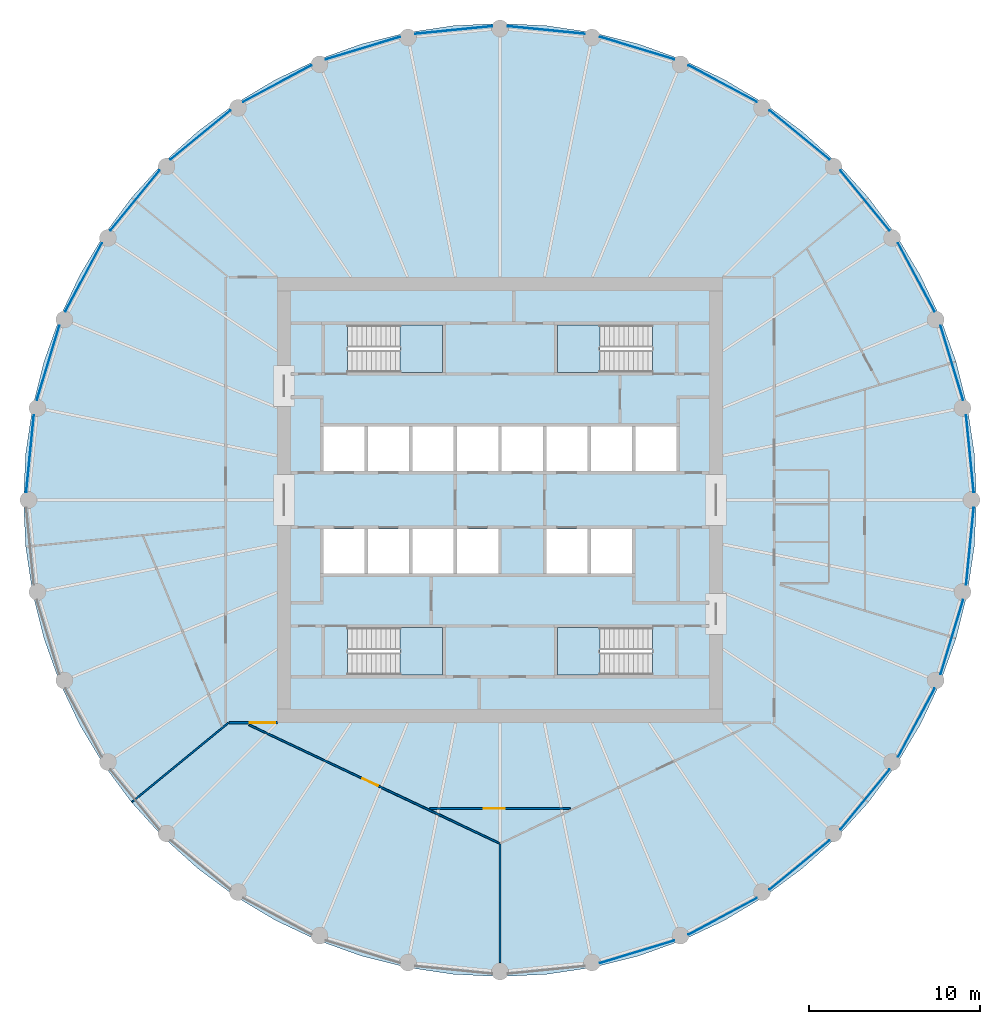
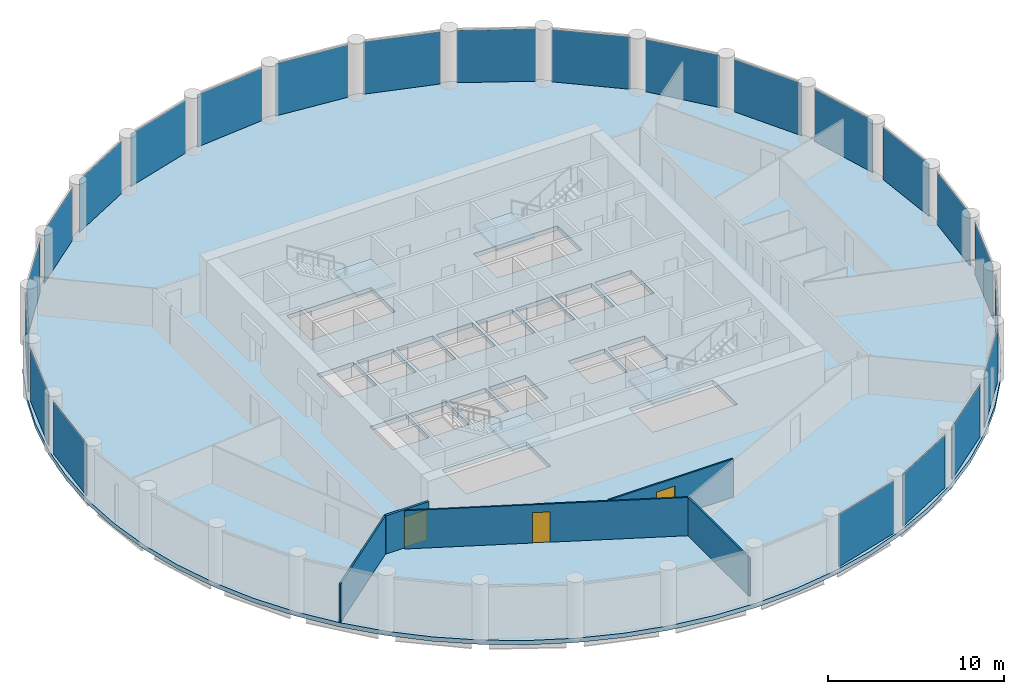
# One storey, part 3 of 8: 23 plates, 5 slabs, 5 walls, 3 doors, 3 openings, 27 elements without a shape of their own.
"""IFC4 building model written with IfcOpenShell, lengths in metres."""

from ifc_helpers import new_model, si_unit, direction, frame, frame_2d, origin, origin_2d, place, context, subcontext, project, spatial, polyline, rectangle, outline, extrude, material, layer, layer_set, type_object, element, fill, aggregate, save


model = new_model("IFC4")

# Units and contexts
model_context = context("Model", 3, precision=1e-05, world=origin(), true_north=direction((0.0, 1.0)))
body_context = subcontext(model_context, "Body", "Model", "MODEL_VIEW")
ifc_project = project(units=[si_unit("LENGTHUNIT", "METRE"), si_unit("AREAUNIT", "SQUARE_METRE"), si_unit("VOLUMEUNIT", "CUBIC_METRE"), si_unit("PLANEANGLEUNIT", "RADIAN"), si_unit("MASSUNIT", "GRAM", prefix="KILO")], contexts=[model_context])

# Site, building, storey
site_placement = place(None, origin())
site = spatial("IfcSite", under=ifc_project, at=site_placement, CompositionType="ELEMENT")
building_placement = place(site_placement, origin())
building = spatial("IfcBuilding", under=site, at=building_placement, Name="Corvane Civic Tower", CompositionType="ELEMENT")
storey_placement = place(building_placement, frame((0.0, 0.0, 253.5)))
storey = spatial("IfcBuildingStorey", under=building, at=storey_placement, Name="L60", CompositionType="ELEMENT", Elevation=253.5)

# Slab
ifc_material_1 = material(Name="Concrete C40/50", Category="concrete")
ifc_layer_1 = layer(ifc_material_1, 0.300048828125)
ifc_layer_set_1 = layer_set([ifc_layer_1], Name="Concrete C40/50")
slab_type_1 = type_object("IfcSlabType", Name="FLOOR SLAB 300", PredefinedType="FLOOR", material=ifc_layer_set_1)
slab_1_placement = place(storey_placement, frame((0.0, 0.0, -0.300048828125)))
element("IfcSlab", 1, at=slab_1_placement, inside=storey, type_object=slab_type_1, Name="SLB-L60", PredefinedType="FLOOR", context=body_context, shape_type="SweptSolid", body=[
    extrude(outline(polyline([(0.0, 27.800048828125), (-2.724853515625, 27.666015625), (-5.423583984375, 27.265869140625), (-8.06982421875, 26.60302734375), (-10.638671875, 25.683837890625), (-13.104736328125, 24.517333984375), (-15.44482421875, 23.11474609375), (-17.63623046875, 21.48974609375), (-19.657470703125, 19.657470703125), (-21.48974609375, 17.63623046875), (-23.11474609375, 15.44482421875), (-24.517333984375, 13.104736328125), (-25.683837890625, 10.638671875), (-26.60302734375, 8.06982421875), (-27.265869140625, 5.423583984375), (-27.666015625, 2.724853515625), (-27.800048828125, 0.0), (-27.666015625, -2.724853515625), (-27.265869140625, -5.423583984375), (-26.60302734375, -8.06982421875), (-25.683837890625, -10.638671875), (-24.517333984375, -13.104736328125), (-23.11474609375, -15.44482421875), (-21.48974609375, -17.63623046875), (-19.657470703125, -19.657470703125), (-17.63623046875, -21.48974609375), (-15.44482421875, -23.11474609375), (-13.104736328125, -24.517333984375), (-10.638671875, -25.683837890625), (-8.06982421875, -26.60302734375), (-5.423583984375, -27.265869140625), (-2.724853515625, -27.666015625), (0.0, -27.800048828125), (2.724853515625, -27.666015625), (5.423583984375, -27.265869140625), (8.06982421875, -26.60302734375), (10.638671875, -25.683837890625), (13.104736328125, -24.517333984375), (15.44482421875, -23.11474609375), (17.63623046875, -21.48974609375), (19.657470703125, -19.657470703125), (21.48974609375, -17.63623046875), (23.11474609375, -15.44482421875), (24.517333984375, -13.104736328125), (25.683837890625, -10.638671875), (26.60302734375, -8.06982421875), (27.265869140625, -5.423583984375), (27.666015625, -2.724853515625), (27.800048828125, 0.0), (27.666015625, 2.724853515625), (27.265869140625, 5.423583984375), (26.60302734375, 8.06982421875), (25.683837890625, 10.638671875), (24.517333984375, 13.104736328125), (23.11474609375, 15.44482421875), (21.48974609375, 17.63623046875), (19.657470703125, 19.657470703125), (17.63623046875, 21.48974609375), (15.44482421875, 23.11474609375), (13.104736328125, 24.517333984375), (10.638671875, 25.683837890625), (8.06982421875, 26.60302734375), (5.423583984375, 27.265869140625), (2.724853515625, 27.666015625), (0.0, 27.800048828125)]), holes=[polyline([(-7.89990234375, 1.699951171875), (-10.300048828125, 1.699951171875), (-10.300048828125, 4.300048828125), (-7.89990234375, 4.300048828125), (-7.89990234375, 1.699951171875)]), polyline([(-7.699951171875, 4.300048828125), (-5.300048828125, 4.300048828125), (-5.300048828125, 1.699951171875), (-7.699951171875, 1.699951171875), (-7.699951171875, 4.300048828125)]), polyline([(-5.10009765625, 4.300048828125), (-2.699951171875, 4.300048828125), (-2.699951171875, 1.699951171875), (-5.10009765625, 1.699951171875), (-5.10009765625, 4.300048828125)]), polyline([(-0.10009765625, 1.699951171875), (-2.5, 1.699951171875), (-2.5, 4.300048828125), (-0.10009765625, 4.300048828125), (-0.10009765625, 1.699951171875)]), polyline([(2.5, 1.699951171875), (0.10009765625, 1.699951171875), (0.10009765625, 4.300048828125), (2.5, 4.300048828125), (2.5, 1.699951171875)]), polyline([(5.10009765625, 1.699951171875), (2.699951171875, 1.699951171875), (2.699951171875, 4.300048828125), (5.10009765625, 4.300048828125), (5.10009765625, 1.699951171875)]), polyline([(5.300048828125, 4.300048828125), (7.699951171875, 4.300048828125), (7.699951171875, 1.699951171875), (5.300048828125, 1.699951171875), (5.300048828125, 4.300048828125)]), polyline([(7.89990234375, 4.300048828125), (10.300048828125, 4.300048828125), (10.300048828125, 1.699951171875), (7.89990234375, 1.699951171875), (7.89990234375, 4.300048828125)]), polyline([(-10.300048828125, -1.699951171875), (-7.89990234375, -1.699951171875), (-7.89990234375, -4.300048828125), (-10.300048828125, -4.300048828125), (-10.300048828125, -1.699951171875)]), polyline([(-7.699951171875, -1.699951171875), (-5.300048828125, -1.699951171875), (-5.300048828125, -4.300048828125), (-7.699951171875, -4.300048828125), (-7.699951171875, -1.699951171875)]), polyline([(-5.10009765625, -1.699951171875), (-2.699951171875, -1.699951171875), (-2.699951171875, -4.300048828125), (-5.10009765625, -4.300048828125), (-5.10009765625, -1.699951171875)]), polyline([(-2.5, -1.699951171875), (-0.10009765625, -1.699951171875), (-0.10009765625, -4.300048828125), (-2.5, -4.300048828125), (-2.5, -1.699951171875)]), polyline([(2.699951171875, -1.699951171875), (5.10009765625, -1.699951171875), (5.10009765625, -4.300048828125), (2.699951171875, -4.300048828125), (2.699951171875, -1.699951171875)]), polyline([(5.300048828125, -1.699951171875), (7.699951171875, -1.699951171875), (7.699951171875, -4.300048828125), (5.300048828125, -4.300048828125), (5.300048828125, -1.699951171875)]), polyline([(8.889892578125, 10.199951171875), (8.889892578125, 7.449951171875), (3.35009765625, 7.449951171875), (3.35009765625, 10.199951171875), (8.889892578125, 10.199951171875)]), polyline([(-8.889892578125, 7.449951171875), (-8.889892578125, 10.199951171875), (-3.35009765625, 10.199951171875), (-3.35009765625, 7.449951171875), (-8.889892578125, 7.449951171875)]), polyline([(8.889892578125, -7.449951171875), (8.889892578125, -10.199951171875), (3.35009765625, -10.199951171875), (3.35009765625, -7.449951171875), (8.889892578125, -7.449951171875)]), polyline([(-8.889892578125, -10.199951171875), (-8.889892578125, -7.449951171875), (-3.35009765625, -7.449951171875), (-3.35009765625, -10.199951171875), (-8.889892578125, -10.199951171875)])]), origin(), (0.0, 0.0, 1.0), 0.300048828125),
])

# Stair, slab
ifc_material_2 = material(Name="Concrete C40/50", Category="concrete")
stair_type = type_object("IfcStairType", Name="ST-STAIR-HALFTURN", PredefinedType="HALF_TURN_STAIR", material=ifc_material_2)
stair_1_placement = place(storey_placement, origin())
stair_1 = element("IfcStair", 2, at=stair_1_placement, inside=storey, type_object=stair_type, Name="L60 Exit stair ST1", PredefinedType="HALF_TURN_STAIR")
ifc_material_3 = material(Name="Concrete C40/50", Category="concrete")
ifc_layer_2 = layer(ifc_material_3, 0.199951171875)
ifc_layer_set_2 = layer_set([ifc_layer_2], Name="Concrete C40/50")
slab_type_2 = type_object("IfcSlabType", Name="ST-LANDING-RC", PredefinedType="LANDING", material=ifc_layer_set_2)
slab_2_placement = place(storey_placement, frame((0.0, 0.0, 1.800048828125)))
slab_2 = element("IfcSlab", 3, at=slab_2_placement, type_object=slab_type_2, Name="ST1 landing 1", PredefinedType="LANDING", context=body_context, shape_type="SweptSolid", body=[
    extrude(outline(polyline([(5.820068359375, 10.199951171875), (3.35009765625, 10.199951171875), (3.35009765625, 7.449951171875), (5.820068359375, 7.449951171875), (5.820068359375, 10.199951171875)])), origin(), (0.0, 0.0, 1.0), 0.199951171875),
])
aggregate(stair_1, [slab_2])

stair_2_placement = place(storey_placement, origin())
stair_2 = element("IfcStair", 4, at=stair_2_placement, inside=storey, type_object=stair_type, Name="L60 Exit stair ST2", PredefinedType="HALF_TURN_STAIR")
slab_3_placement = place(storey_placement, frame((0.0, 0.0, 1.800048828125)))
slab_3 = element("IfcSlab", 5, at=slab_3_placement, type_object=slab_type_2, Name="ST2 landing 1", PredefinedType="LANDING", context=body_context, shape_type="SweptSolid", body=[
    extrude(outline(polyline([(5.820068359375, -7.449951171875), (3.35009765625, -7.449951171875), (3.35009765625, -10.199951171875), (5.820068359375, -10.199951171875), (5.820068359375, -7.449951171875)])), origin(), (0.0, 0.0, 1.0), 0.199951171875),
])
aggregate(stair_2, [slab_3])

stair_3_placement = place(storey_placement, origin())
stair_3 = element("IfcStair", 6, at=stair_3_placement, inside=storey, type_object=stair_type, Name="L60 Exit stair ST3", PredefinedType="HALF_TURN_STAIR")
slab_4_placement = place(storey_placement, frame((0.0, 0.0, 1.800048828125)))
slab_4 = element("IfcSlab", 7, at=slab_4_placement, type_object=slab_type_2, Name="ST3 landing 1", PredefinedType="LANDING", context=body_context, shape_type="SweptSolid", body=[
    extrude(outline(polyline([(-5.820068359375, -10.199951171875), (-3.35009765625, -10.199951171875), (-3.35009765625, -7.449951171875), (-5.820068359375, -7.449951171875), (-5.820068359375, -10.199951171875)])), origin(), (0.0, 0.0, 1.0), 0.199951171875),
])
aggregate(stair_3, [slab_4])

stair_4_placement = place(storey_placement, origin())
stair_4 = element("IfcStair", 8, at=stair_4_placement, inside=storey, type_object=stair_type, Name="L60 Exit stair ST4", PredefinedType="HALF_TURN_STAIR")
slab_5_placement = place(storey_placement, frame((0.0, 0.0, 1.800048828125)))
slab_5 = element("IfcSlab", 9, at=slab_5_placement, type_object=slab_type_2, Name="ST4 landing 1", PredefinedType="LANDING", context=body_context, shape_type="SweptSolid", body=[
    extrude(outline(polyline([(-5.820068359375, 7.449951171875), (-3.35009765625, 7.449951171875), (-3.35009765625, 10.199951171875), (-5.820068359375, 10.199951171875), (-5.820068359375, 7.449951171875)])), origin(), (0.0, 0.0, 1.0), 0.199951171875),
])
aggregate(stair_4, [slab_5])

# Curtain wall, plate
ifc_material_4 = material(Name="Anodised aluminium bronze", Category="aluminium")
curtain_wall_type = type_object("IfcCurtainWallType", Name="TOWER CW-T2 STICK CURTAIN WALL", PredefinedType="NOTDEFINED", material=ifc_material_4)
curtain_wall_1_placement = place(storey_placement, origin())
curtain_wall_1 = element("IfcCurtainWall", 10, at=curtain_wall_1_placement, inside=storey, type_object=curtain_wall_type, Name="Curtain wall CW-T2 L60 bay 01", PredefinedType="NOTDEFINED")
ifc_material_5 = material(Name="Tinted glass", Category="glass")
ifc_layer_3 = layer(ifc_material_5, 0.031982421875)
ifc_layer_set_3 = layer_set([ifc_layer_3], Name="Tinted glass")
plate_type = type_object("IfcPlateType", Name="TOWER CW-T2 PANEL IGU32", PredefinedType="CURTAIN_PANEL", material=ifc_layer_set_3)
plate_1_placement = place(storey_placement, frame((2.699951171875, 27.4140625, 0.0), z_axis=(0.0, 0.0, 1.0), x_axis=(0.995187058378, -0.097993463235, 0.0)))
plate_1 = element("IfcPlate", 11, at=plate_1_placement, type_object=plate_type, Name="Glass panel CW-T2 L60 01.1", PredefinedType="CURTAIN_PANEL", context=body_context, shape_type="SweptSolid", body=[
    extrude(rectangle(XDim=4.517333984375, YDim=0.031982421875, at=origin_2d()), origin(), (0.0, 0.0, 1.0), 3.6298828125),
])
aggregate(curtain_wall_1, [plate_1])

curtain_wall_2_placement = place(storey_placement, origin())
curtain_wall_2 = element("IfcCurtainWall", 12, at=curtain_wall_2_placement, inside=storey, type_object=curtain_wall_type, Name="Curtain wall CW-T2 L60 bay 02", PredefinedType="NOTDEFINED")
plate_2_placement = place(storey_placement, frame((7.996337890625, 26.360595703125, 0.0), z_axis=(0.0, 0.0, 1.0), x_axis=(0.956938843612, -0.290289596069, 0.0)))
plate_2 = element("IfcPlate", 13, at=plate_2_placement, type_object=plate_type, Name="Glass panel CW-T2 L60 02.1", PredefinedType="CURTAIN_PANEL", context=body_context, shape_type="SweptSolid", body=[
    extrude(rectangle(XDim=4.517333984375, YDim=0.031982421875, at=origin_2d()), origin(), (0.0, 0.0, 1.0), 3.6298828125),
])
aggregate(curtain_wall_2, [plate_2])

curtain_wall_3_placement = place(storey_placement, origin())
curtain_wall_3 = element("IfcCurtainWall", 14, at=curtain_wall_3_placement, inside=storey, type_object=curtain_wall_type, Name="Curtain wall CW-T2 L60 bay 03", PredefinedType="NOTDEFINED")
plate_3_placement = place(storey_placement, frame((12.9853515625, 24.294189453125, 0.0), z_axis=(0.0, 0.0, 1.0), x_axis=(0.881920381001, -0.471398389449, 0.0)))
plate_3 = element("IfcPlate", 15, at=plate_3_placement, type_object=plate_type, Name="Glass panel CW-T2 L60 03.1", PredefinedType="CURTAIN_PANEL", context=body_context, shape_type="SweptSolid", body=[
    extrude(rectangle(XDim=4.517333984375, YDim=0.031982421875, at=origin_2d()), origin(), (0.0, 0.0, 1.0), 3.6298828125),
])
aggregate(curtain_wall_3, [plate_3])

curtain_wall_4_placement = place(storey_placement, origin())
curtain_wall_4 = element("IfcCurtainWall", 16, at=curtain_wall_4_placement, inside=storey, type_object=curtain_wall_type, Name="Curtain wall CW-T2 L60 bay 04", PredefinedType="NOTDEFINED")
plate_4_placement = place(storey_placement, frame((17.475341796875, 21.2939453125, 0.0), z_axis=(0.0, 0.0, 1.0), x_axis=(0.773012269331, -0.634391071394, 0.0)))
plate_4 = element("IfcPlate", 17, at=plate_4_placement, type_object=plate_type, Name="Glass panel CW-T2 L60 04.1", PredefinedType="CURTAIN_PANEL", context=body_context, shape_type="SweptSolid", body=[
    extrude(rectangle(XDim=4.517333984375, YDim=0.031982421875, at=origin_2d()), origin(), (0.0, 0.0, 1.0), 3.6298828125),
])
aggregate(curtain_wall_4, [plate_4])

curtain_wall_5_placement = place(storey_placement, origin())
curtain_wall_5 = element("IfcCurtainWall", 18, at=curtain_wall_5_placement, inside=storey, type_object=curtain_wall_type, Name="Curtain wall CW-T2 L60 bay 05", PredefinedType="NOTDEFINED")
plate_5_placement = place(storey_placement, frame((21.2939453125, 17.475341796875, 0.0), z_axis=(0.0, 0.0, 1.0), x_axis=(0.634391071394, -0.773012269331, 0.0)))
plate_5 = element("IfcPlate", 19, at=plate_5_placement, type_object=plate_type, Name="Glass panel CW-T2 L60 05.1", PredefinedType="CURTAIN_PANEL", context=body_context, shape_type="SweptSolid", body=[
    extrude(rectangle(XDim=4.517333984375, YDim=0.031982421875, at=origin_2d()), origin(), (0.0, 0.0, 1.0), 3.6298828125),
])
aggregate(curtain_wall_5, [plate_5])

curtain_wall_6_placement = place(storey_placement, origin())
curtain_wall_6 = element("IfcCurtainWall", 20, at=curtain_wall_6_placement, inside=storey, type_object=curtain_wall_type, Name="Curtain wall CW-T2 L60 bay 06", PredefinedType="NOTDEFINED")
plate_6_placement = place(storey_placement, frame((24.294189453125, 12.9853515625, 0.0), z_axis=(0.0, 0.0, 1.0), x_axis=(0.471398389449, -0.881920381001, 0.0)))
plate_6 = element("IfcPlate", 21, at=plate_6_placement, type_object=plate_type, Name="Glass panel CW-T2 L60 06.1", PredefinedType="CURTAIN_PANEL", context=body_context, shape_type="SweptSolid", body=[
    extrude(rectangle(XDim=4.517333984375, YDim=0.031982421875, at=origin_2d()), origin(), (0.0, 0.0, 1.0), 3.6298828125),
])
aggregate(curtain_wall_6, [plate_6])

curtain_wall_7_placement = place(storey_placement, origin())
curtain_wall_7 = element("IfcCurtainWall", 22, at=curtain_wall_7_placement, inside=storey, type_object=curtain_wall_type, Name="Curtain wall CW-T2 L60 bay 07", PredefinedType="NOTDEFINED")
plate_7_placement = place(storey_placement, frame((26.360595703125, 7.996337890625, 0.0), z_axis=(0.0, 0.0, 1.0), x_axis=(0.290289596069, -0.956938843612, 0.0)))
plate_7 = element("IfcPlate", 23, at=plate_7_placement, type_object=plate_type, Name="Glass panel CW-T2 L60 07.1", PredefinedType="CURTAIN_PANEL", context=body_context, shape_type="SweptSolid", body=[
    extrude(rectangle(XDim=4.517333984375, YDim=0.031982421875, at=origin_2d()), origin(), (0.0, 0.0, 1.0), 3.6298828125),
])
aggregate(curtain_wall_7, [plate_7])

curtain_wall_8_placement = place(storey_placement, origin())
curtain_wall_8 = element("IfcCurtainWall", 24, at=curtain_wall_8_placement, inside=storey, type_object=curtain_wall_type, Name="Curtain wall CW-T2 L60 bay 08", PredefinedType="NOTDEFINED")
plate_8_placement = place(storey_placement, frame((27.4140625, 2.699951171875, 0.0), z_axis=(0.0, 0.0, 1.0), x_axis=(0.097993463235, -0.995187058378, 0.0)))
plate_8 = element("IfcPlate", 25, at=plate_8_placement, type_object=plate_type, Name="Glass panel CW-T2 L60 08.1", PredefinedType="CURTAIN_PANEL", context=body_context, shape_type="SweptSolid", body=[
    extrude(rectangle(XDim=4.517333984375, YDim=0.031982421875, at=origin_2d()), origin(), (0.0, 0.0, 1.0), 3.6298828125),
])
aggregate(curtain_wall_8, [plate_8])

curtain_wall_9_placement = place(storey_placement, origin())
curtain_wall_9 = element("IfcCurtainWall", 26, at=curtain_wall_9_placement, inside=storey, type_object=curtain_wall_type, Name="Curtain wall CW-T2 L60 bay 09", PredefinedType="NOTDEFINED")
plate_9_placement = place(storey_placement, frame((27.4140625, -2.699951171875, 0.0), z_axis=(0.0, 0.0, 1.0), x_axis=(-0.097993463235, -0.995187058378, 0.0)))
plate_9 = element("IfcPlate", 27, at=plate_9_placement, type_object=plate_type, Name="Glass panel CW-T2 L60 09.1", PredefinedType="CURTAIN_PANEL", context=body_context, shape_type="SweptSolid", body=[
    extrude(rectangle(XDim=4.517333984375, YDim=0.031982421875, at=origin_2d()), origin(), (0.0, 0.0, 1.0), 3.6298828125),
])
aggregate(curtain_wall_9, [plate_9])

curtain_wall_10_placement = place(storey_placement, origin())
curtain_wall_10 = element("IfcCurtainWall", 28, at=curtain_wall_10_placement, inside=storey, type_object=curtain_wall_type, Name="Curtain wall CW-T2 L60 bay 10", PredefinedType="NOTDEFINED")
plate_10_placement = place(storey_placement, frame((26.360595703125, -7.996337890625, 0.0), z_axis=(0.0, 0.0, 1.0), x_axis=(-0.290289596069, -0.956938843612, 0.0)))
plate_10 = element("IfcPlate", 29, at=plate_10_placement, type_object=plate_type, Name="Glass panel CW-T2 L60 10.1", PredefinedType="CURTAIN_PANEL", context=body_context, shape_type="SweptSolid", body=[
    extrude(rectangle(XDim=4.517333984375, YDim=0.031982421875, at=origin_2d()), origin(), (0.0, 0.0, 1.0), 3.6298828125),
])
aggregate(curtain_wall_10, [plate_10])

curtain_wall_11_placement = place(storey_placement, origin())
curtain_wall_11 = element("IfcCurtainWall", 30, at=curtain_wall_11_placement, inside=storey, type_object=curtain_wall_type, Name="Curtain wall CW-T2 L60 bay 11", PredefinedType="NOTDEFINED")
plate_11_placement = place(storey_placement, frame((24.294189453125, -12.9853515625, 0.0), z_axis=(0.0, 0.0, 1.0), x_axis=(-0.471398389449, -0.881920381001, 0.0)))
plate_11 = element("IfcPlate", 31, at=plate_11_placement, type_object=plate_type, Name="Glass panel CW-T2 L60 11.1", PredefinedType="CURTAIN_PANEL", context=body_context, shape_type="SweptSolid", body=[
    extrude(rectangle(XDim=4.517333984375, YDim=0.031982421875, at=origin_2d()), origin(), (0.0, 0.0, 1.0), 3.6298828125),
])
aggregate(curtain_wall_11, [plate_11])

curtain_wall_12_placement = place(storey_placement, origin())
curtain_wall_12 = element("IfcCurtainWall", 32, at=curtain_wall_12_placement, inside=storey, type_object=curtain_wall_type, Name="Curtain wall CW-T2 L60 bay 12", PredefinedType="NOTDEFINED")
plate_12_placement = place(storey_placement, frame((21.2939453125, -17.475341796875, 0.0), z_axis=(0.0, 0.0, 1.0), x_axis=(-0.634391071394, -0.773012269331, 0.0)))
plate_12 = element("IfcPlate", 33, at=plate_12_placement, type_object=plate_type, Name="Glass panel CW-T2 L60 12.1", PredefinedType="CURTAIN_PANEL", context=body_context, shape_type="SweptSolid", body=[
    extrude(rectangle(XDim=4.517333984375, YDim=0.031982421875, at=origin_2d()), origin(), (0.0, 0.0, 1.0), 3.6298828125),
])
aggregate(curtain_wall_12, [plate_12])

curtain_wall_13_placement = place(storey_placement, origin())
curtain_wall_13 = element("IfcCurtainWall", 34, at=curtain_wall_13_placement, inside=storey, type_object=curtain_wall_type, Name="Curtain wall CW-T2 L60 bay 13", PredefinedType="NOTDEFINED")
plate_13_placement = place(storey_placement, frame((17.475341796875, -21.2939453125, 0.0), z_axis=(0.0, 0.0, 1.0), x_axis=(-0.773012269331, -0.634391071394, 0.0)))
plate_13 = element("IfcPlate", 35, at=plate_13_placement, type_object=plate_type, Name="Glass panel CW-T2 L60 13.1", PredefinedType="CURTAIN_PANEL", context=body_context, shape_type="SweptSolid", body=[
    extrude(rectangle(XDim=4.517333984375, YDim=0.031982421875, at=origin_2d()), origin(), (0.0, 0.0, 1.0), 3.6298828125),
])
aggregate(curtain_wall_13, [plate_13])

curtain_wall_14_placement = place(storey_placement, origin())
curtain_wall_14 = element("IfcCurtainWall", 36, at=curtain_wall_14_placement, inside=storey, type_object=curtain_wall_type, Name="Curtain wall CW-T2 L60 bay 14", PredefinedType="NOTDEFINED")
plate_14_placement = place(storey_placement, frame((12.9853515625, -24.294189453125, 0.0), z_axis=(0.0, 0.0, 1.0), x_axis=(-0.881920381001, -0.471398389449, 0.0)))
plate_14 = element("IfcPlate", 37, at=plate_14_placement, type_object=plate_type, Name="Glass panel CW-T2 L60 14.1", PredefinedType="CURTAIN_PANEL", context=body_context, shape_type="SweptSolid", body=[
    extrude(rectangle(XDim=4.517333984375, YDim=0.031982421875, at=origin_2d()), origin(), (0.0, 0.0, 1.0), 3.6298828125),
])
aggregate(curtain_wall_14, [plate_14])

curtain_wall_15_placement = place(storey_placement, origin())
curtain_wall_15 = element("IfcCurtainWall", 38, at=curtain_wall_15_placement, inside=storey, type_object=curtain_wall_type, Name="Curtain wall CW-T2 L60 bay 15", PredefinedType="NOTDEFINED")
plate_15_placement = place(storey_placement, frame((7.996337890625, -26.360595703125, 0.0), z_axis=(0.0, 0.0, 1.0), x_axis=(-0.956938843612, -0.290289596069, 0.0)))
plate_15 = element("IfcPlate", 39, at=plate_15_placement, type_object=plate_type, Name="Glass panel CW-T2 L60 15.1", PredefinedType="CURTAIN_PANEL", context=body_context, shape_type="SweptSolid", body=[
    extrude(rectangle(XDim=4.517333984375, YDim=0.031982421875, at=origin_2d()), origin(), (0.0, 0.0, 1.0), 3.6298828125),
])
aggregate(curtain_wall_15, [plate_15])

curtain_wall_16_placement = place(storey_placement, origin())
curtain_wall_16 = element("IfcCurtainWall", 40, at=curtain_wall_16_placement, inside=storey, type_object=curtain_wall_type, Name="Curtain wall CW-T2 L60 bay 25", PredefinedType="NOTDEFINED")
plate_16_placement = place(storey_placement, frame((-27.4140625, 2.699951171875, 0.0), z_axis=(0.0, 0.0, 1.0), x_axis=(0.097993463235, 0.995187058378, 0.0)))
plate_16 = element("IfcPlate", 41, at=plate_16_placement, type_object=plate_type, Name="Glass panel CW-T2 L60 25.1", PredefinedType="CURTAIN_PANEL", context=body_context, shape_type="SweptSolid", body=[
    extrude(rectangle(XDim=4.517333984375, YDim=0.031982421875, at=origin_2d()), origin(), (0.0, 0.0, 1.0), 3.6298828125),
])
aggregate(curtain_wall_16, [plate_16])

curtain_wall_17_placement = place(storey_placement, origin())
curtain_wall_17 = element("IfcCurtainWall", 42, at=curtain_wall_17_placement, inside=storey, type_object=curtain_wall_type, Name="Curtain wall CW-T2 L60 bay 26", PredefinedType="NOTDEFINED")
plate_17_placement = place(storey_placement, frame((-26.360595703125, 7.996337890625, 0.0), z_axis=(0.0, 0.0, 1.0), x_axis=(0.290289596069, 0.956938843612, 0.0)))
plate_17 = element("IfcPlate", 43, at=plate_17_placement, type_object=plate_type, Name="Glass panel CW-T2 L60 26.1", PredefinedType="CURTAIN_PANEL", context=body_context, shape_type="SweptSolid", body=[
    extrude(rectangle(XDim=4.517333984375, YDim=0.031982421875, at=origin_2d()), origin(), (0.0, 0.0, 1.0), 3.6298828125),
])
aggregate(curtain_wall_17, [plate_17])

curtain_wall_18_placement = place(storey_placement, origin())
curtain_wall_18 = element("IfcCurtainWall", 44, at=curtain_wall_18_placement, inside=storey, type_object=curtain_wall_type, Name="Curtain wall CW-T2 L60 bay 27", PredefinedType="NOTDEFINED")
plate_18_placement = place(storey_placement, frame((-24.294189453125, 12.9853515625, 0.0), z_axis=(0.0, 0.0, 1.0), x_axis=(0.471398389449, 0.881920381001, 0.0)))
plate_18 = element("IfcPlate", 45, at=plate_18_placement, type_object=plate_type, Name="Glass panel CW-T2 L60 27.1", PredefinedType="CURTAIN_PANEL", context=body_context, shape_type="SweptSolid", body=[
    extrude(rectangle(XDim=4.517333984375, YDim=0.031982421875, at=origin_2d()), origin(), (0.0, 0.0, 1.0), 3.6298828125),
])
aggregate(curtain_wall_18, [plate_18])

curtain_wall_19_placement = place(storey_placement, origin())
curtain_wall_19 = element("IfcCurtainWall", 46, at=curtain_wall_19_placement, inside=storey, type_object=curtain_wall_type, Name="Curtain wall CW-T2 L60 bay 28", PredefinedType="NOTDEFINED")
plate_19_placement = place(storey_placement, frame((-21.2939453125, 17.475341796875, 0.0), z_axis=(0.0, 0.0, 1.0), x_axis=(0.634391071394, 0.773012269331, 0.0)))
plate_19 = element("IfcPlate", 47, at=plate_19_placement, type_object=plate_type, Name="Glass panel CW-T2 L60 28.1", PredefinedType="CURTAIN_PANEL", context=body_context, shape_type="SweptSolid", body=[
    extrude(rectangle(XDim=4.517333984375, YDim=0.031982421875, at=origin_2d()), origin(), (0.0, 0.0, 1.0), 3.6298828125),
])
aggregate(curtain_wall_19, [plate_19])

curtain_wall_20_placement = place(storey_placement, origin())
curtain_wall_20 = element("IfcCurtainWall", 48, at=curtain_wall_20_placement, inside=storey, type_object=curtain_wall_type, Name="Curtain wall CW-T2 L60 bay 29", PredefinedType="NOTDEFINED")
plate_20_placement = place(storey_placement, frame((-17.475341796875, 21.2939453125, 0.0), z_axis=(0.0, 0.0, 1.0), x_axis=(0.773012269331, 0.634391071394, 0.0)))
plate_20 = element("IfcPlate", 49, at=plate_20_placement, type_object=plate_type, Name="Glass panel CW-T2 L60 29.1", PredefinedType="CURTAIN_PANEL", context=body_context, shape_type="SweptSolid", body=[
    extrude(rectangle(XDim=4.517333984375, YDim=0.031982421875, at=origin_2d()), origin(), (0.0, 0.0, 1.0), 3.6298828125),
])
aggregate(curtain_wall_20, [plate_20])

curtain_wall_21_placement = place(storey_placement, origin())
curtain_wall_21 = element("IfcCurtainWall", 50, at=curtain_wall_21_placement, inside=storey, type_object=curtain_wall_type, Name="Curtain wall CW-T2 L60 bay 30", PredefinedType="NOTDEFINED")
plate_21_placement = place(storey_placement, frame((-12.9853515625, 24.294189453125, 0.0), z_axis=(0.0, 0.0, 1.0), x_axis=(0.881920381001, 0.471398389449, 0.0)))
plate_21 = element("IfcPlate", 51, at=plate_21_placement, type_object=plate_type, Name="Glass panel CW-T2 L60 30.1", PredefinedType="CURTAIN_PANEL", context=body_context, shape_type="SweptSolid", body=[
    extrude(rectangle(XDim=4.517333984375, YDim=0.031982421875, at=origin_2d()), origin(), (0.0, 0.0, 1.0), 3.6298828125),
])
aggregate(curtain_wall_21, [plate_21])

curtain_wall_22_placement = place(storey_placement, origin())
curtain_wall_22 = element("IfcCurtainWall", 52, at=curtain_wall_22_placement, inside=storey, type_object=curtain_wall_type, Name="Curtain wall CW-T2 L60 bay 31", PredefinedType="NOTDEFINED")
plate_22_placement = place(storey_placement, frame((-7.996337890625, 26.360595703125, 0.0), z_axis=(0.0, 0.0, 1.0), x_axis=(0.956938843612, 0.290289596069, 0.0)))
plate_22 = element("IfcPlate", 53, at=plate_22_placement, type_object=plate_type, Name="Glass panel CW-T2 L60 31.1", PredefinedType="CURTAIN_PANEL", context=body_context, shape_type="SweptSolid", body=[
    extrude(rectangle(XDim=4.517333984375, YDim=0.031982421875, at=origin_2d()), origin(), (0.0, 0.0, 1.0), 3.6298828125),
])
aggregate(curtain_wall_22, [plate_22])

curtain_wall_23_placement = place(storey_placement, origin())
curtain_wall_23 = element("IfcCurtainWall", 54, at=curtain_wall_23_placement, inside=storey, type_object=curtain_wall_type, Name="Curtain wall CW-T2 L60 bay 32", PredefinedType="NOTDEFINED")
plate_23_placement = place(storey_placement, frame((-2.699951171875, 27.4140625, 0.0), z_axis=(0.0, 0.0, 1.0), x_axis=(0.995187058378, 0.097993463235, 0.0)))
plate_23 = element("IfcPlate", 55, at=plate_23_placement, type_object=plate_type, Name="Glass panel CW-T2 L60 32.1", PredefinedType="CURTAIN_PANEL", context=body_context, shape_type="SweptSolid", body=[
    extrude(rectangle(XDim=4.517333984375, YDim=0.031982421875, at=origin_2d()), origin(), (0.0, 0.0, 1.0), 3.6298828125),
])
aggregate(curtain_wall_23, [plate_23])

# Wall
ifc_material_6 = material(Name="Plasterboard")
ifc_layer_4 = layer(ifc_material_6, 0.10009765625)
ifc_layer_set_4 = layer_set([ifc_layer_4], Name="Plasterboard")
wall_type_1 = type_object("IfcWallType", Name="Partition 100 plasterboard on studs", PredefinedType="PARTITIONING", material=ifc_layer_set_4)
wall_1_placement = place(storey_placement, frame((0.0, -26.989990234375, 0.0), z_axis=(0.0, 0.0, 1.0), x_axis=(0.0, 1.0, 0.0)))
element("IfcWall", 56, at=wall_1_placement, inside=storey, type_object=wall_type_1, Name="Partition L60.001", PredefinedType="PARTITIONING", context=body_context, shape_type="SweptSolid", body=[
    extrude(rectangle(XDim=6.91748046875, YDim=0.10009765625, at=frame_2d((3.458740234375, 0.0))), origin(), (0.0, 0.0, 1.0), 2.64990234375),
])

# Wall, opening, door
wall_2_placement = place(storey_placement, frame((-14.632568359375, -13.1201171875, 0.0), z_axis=(0.0, 0.0, 1.0), x_axis=(0.903988165601, -0.427557477368, 0.0)))
wall_2 = element("IfcWall", 57, at=wall_2_placement, inside=storey, type_object=wall_type_1, Name="Partition L60.002", PredefinedType="PARTITIONING", context=body_context, shape_type="SweptSolid", body=[
    extrude(rectangle(XDim=16.155029296875, YDim=0.10009765625, at=frame_2d((8.07763671875, 0.0))), origin(), (0.0, 0.0, 1.0), 2.64990234375),
])
opening_1_placement = place(wall_2_placement, frame((7.306884765625, 0.0, 0.0)))
opening_1 = element("IfcOpeningElement", 58, at=opening_1_placement, cuts=wall_2, Name="Opening L60.003", PredefinedType="OPENING", context=body_context, shape_type="SweptSolid", body=[
    extrude(rectangle(XDim=1.0, YDim=2.10009765625, at=frame_2d((0.5, 1.050048828125))), frame((0.0, 0.06005859375, 0.0), z_axis=(0.0, -1.0, 0.0), x_axis=(1.0, 0.0, 0.0)), (0.0, 0.0, 1.0), 0.1201171875),
])
ifc_material_7 = material(Name="Timber", Category="wood")
door_type_1 = type_object("IfcDoorType", Name="Single door 1000", OperationType="NOTDEFINED", PredefinedType="DOOR", material=ifc_material_7)
door_1_placement = place(opening_1_placement, frame((1.0, 0.0, 0.0), z_axis=(0.0, 0.0, 1.0), x_axis=(-1.0, 0.0, 0.0)))
door_1 = element("IfcDoor", 59, at=door_1_placement, inside=storey, type_object=door_type_1, Name="Door L60.003", OperationType="SINGLE_SWING_RIGHT", OverallHeight=2.10009765625, OverallWidth=1.0, PredefinedType="DOOR", context=body_context, shape_type="SweptSolid", body=[
    extrude(rectangle(XDim=1.0, YDim=2.10009765625, at=frame_2d((0.5, 1.050048828125))), frame((0.0, 0.02490234375, 0.0), z_axis=(0.0, -1.0, 0.0), x_axis=(1.0, 0.0, 0.0)), (0.0, 0.0, 1.0), 0.050048828125),
])
fill(opening_1, door_1)

wall_3_placement = place(storey_placement, frame((-4.092529296875, -18.0, 0.0), z_axis=(0.0, 0.0, 1.0), x_axis=(1.0, 0.0, 0.0)))
wall_3 = element("IfcWall", 60, at=wall_3_placement, inside=storey, type_object=wall_type_1, Name="Partition L60.004", PredefinedType="PARTITIONING", context=body_context, shape_type="SweptSolid", body=[
    extrude(rectangle(XDim=8.18505859375, YDim=0.10009765625, at=frame_2d((4.092529296875, 0.0))), origin(), (0.0, 0.0, 1.0), 2.64990234375),
])
opening_2_placement = place(wall_3_placement, frame((3.157958984375, 0.0, 0.0)))
opening_2 = element("IfcOpeningElement", 61, at=opening_2_placement, cuts=wall_3, Name="Opening L60.004", PredefinedType="OPENING", context=body_context, shape_type="SweptSolid", body=[
    extrude(rectangle(XDim=1.199951171875, YDim=2.10009765625, at=frame_2d((0.60009765625, 1.050048828125))), frame((0.0, 0.06005859375, 0.0), z_axis=(0.0, -1.0, 0.0), x_axis=(1.0, 0.0, 0.0)), (0.0, 0.0, 1.0), 0.1201171875),
])
ifc_material_8 = material(Name="Timber", Category="wood")
door_type_2 = type_object("IfcDoorType", Name="Double door 1200", OperationType="NOTDEFINED", PredefinedType="DOOR", material=ifc_material_8)
door_2_placement = place(opening_2_placement, frame((1.199951171875, 0.0, 0.0), z_axis=(0.0, 0.0, 1.0), x_axis=(-1.0, 0.0, 0.0)))
door_2 = element("IfcDoor", 62, at=door_2_placement, inside=storey, type_object=door_type_2, Name="Door L60.004", OperationType="DOUBLE_DOOR_SINGLE_SWING", OverallHeight=2.10009765625, OverallWidth=1.199951171875, PredefinedType="DOOR", context=body_context, shape_type="SweptSolid", body=[
    extrude(rectangle(XDim=1.199951171875, YDim=2.10009765625, at=frame_2d((0.60009765625, 1.050048828125))), frame((0.0, 0.02490234375, 0.0), z_axis=(0.0, -1.0, 0.0), x_axis=(1.0, 0.0, 0.0)), (0.0, 0.0, 1.0), 0.050048828125),
])
fill(opening_2, door_2)

# Wall
wall_4_placement = place(storey_placement, frame((-21.451171875, -17.6044921875, 0.0), z_axis=(0.0, 0.0, 1.0), x_axis=(0.772997895748, 0.634408585352, 0.0)))
element("IfcWall", 63, at=wall_4_placement, inside=storey, type_object=wall_type_1, Name="Partition L60.005", PredefinedType="PARTITIONING", context=body_context, shape_type="SweptSolid", body=[
    extrude(rectangle(XDim=7.240234375, YDim=0.10009765625, at=frame_2d((3.6201171875, 0.0))), origin(), (0.0, 0.0, 1.0), 2.64990234375),
])

# Wall, opening, door
ifc_material_9 = material(Name="Plasterboard")
ifc_layer_5 = layer(ifc_material_9, 0.14990234375)
ifc_layer_set_5 = layer_set([ifc_layer_5], Name="Plasterboard")
wall_type_2 = type_object("IfcWallType", Name="Tenancy wall 150 EI 60", PredefinedType="PARTITIONING", material=ifc_layer_set_5)
wall_5_placement = place(storey_placement, frame((-15.813720703125, -13.0, 0.0), z_axis=(0.0, 0.0, 1.0), x_axis=(1.0, 0.0, 0.0)))
wall_5 = element("IfcWall", 64, at=wall_5_placement, inside=storey, type_object=wall_type_2, Name="Partition L60.009", PredefinedType="PARTITIONING", context=body_context, shape_type="SweptSolid", body=[
    extrude(rectangle(XDim=2.82373046875, YDim=0.14990234375, at=frame_2d((1.411865234375, 0.0))), origin(), (0.0, 0.0, 1.0), 2.64990234375),
])
opening_3_placement = place(wall_5_placement, frame((1.214599609375, 0.0, 0.0)))
opening_3 = element("IfcOpeningElement", 65, at=opening_3_placement, cuts=wall_5, Name="Opening L60.005", PredefinedType="OPENING", context=body_context, shape_type="SweptSolid", body=[
    extrude(rectangle(XDim=1.5, YDim=2.10009765625, at=frame_2d((0.75, 1.050048828125))), frame((0.0, 0.0849609375, 0.0), z_axis=(0.0, -1.0, 0.0), x_axis=(1.0, 0.0, 0.0)), (0.0, 0.0, 1.0), 0.169921875),
])
ifc_material_10 = material(Name="Steel and timber", Category="steel")
door_type_3 = type_object("IfcDoorType", Name="Fire door FD60 double 1500", OperationType="NOTDEFINED", PredefinedType="DOOR", material=ifc_material_10)
door_3_placement = place(opening_3_placement, frame((1.5, 0.0, 0.0), z_axis=(0.0, 0.0, 1.0), x_axis=(-1.0, 0.0, 0.0)))
door_3 = element("IfcDoor", 66, at=door_3_placement, inside=storey, type_object=door_type_3, Name="Door L60.005", OperationType="DOUBLE_DOOR_SINGLE_SWING", OverallHeight=2.10009765625, OverallWidth=1.5, PredefinedType="DOOR", context=body_context, shape_type="SweptSolid", body=[
    extrude(rectangle(XDim=1.5, YDim=2.10009765625, at=frame_2d((0.75, 1.050048828125))), frame((0.0, 0.02490234375, 0.0), z_axis=(0.0, -1.0, 0.0), x_axis=(1.0, 0.0, 0.0)), (0.0, 0.0, 1.0), 0.050048828125),
])
fill(opening_3, door_3)

save(model, "model.ifc")
